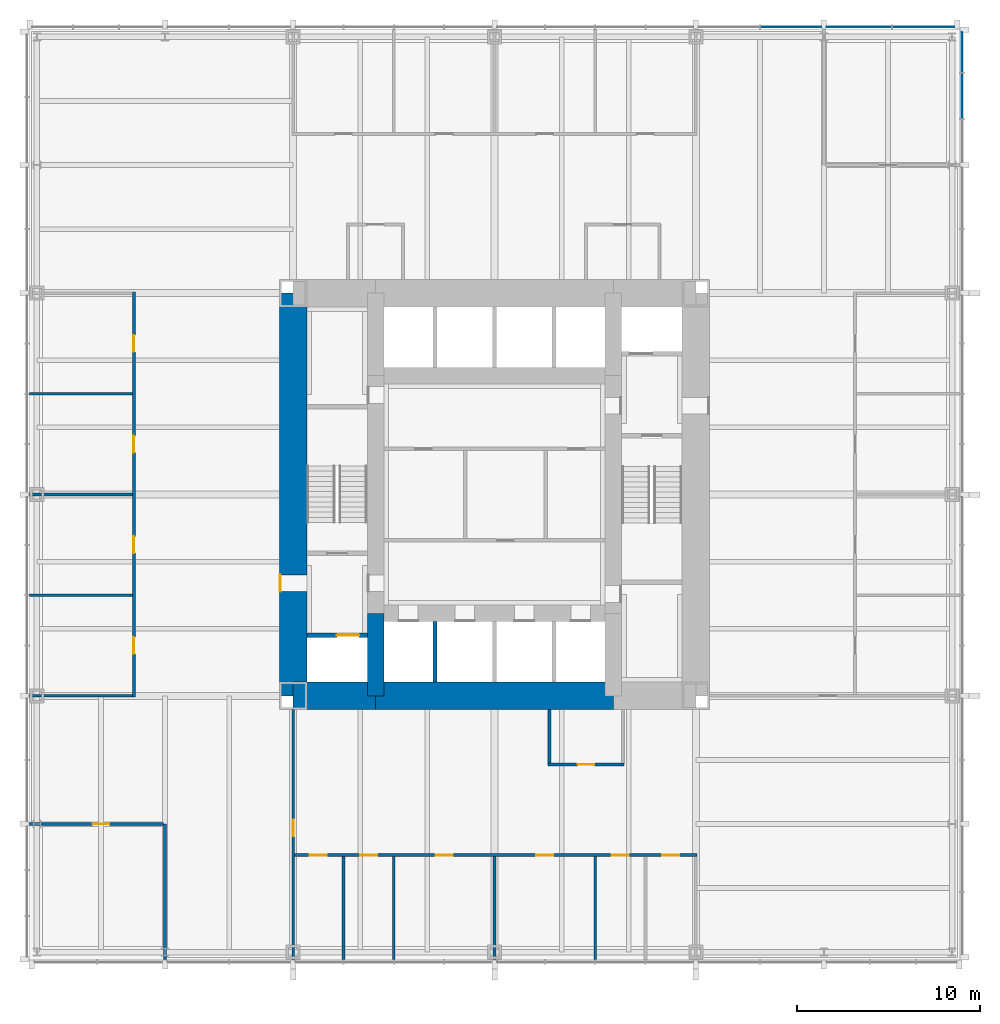
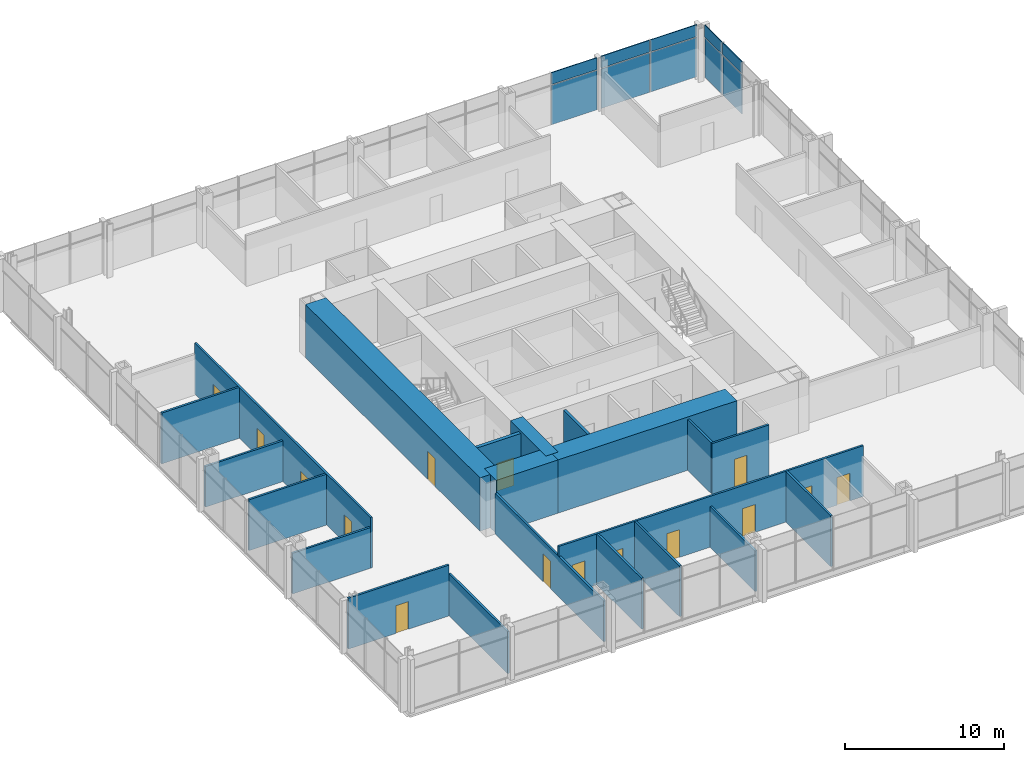
# One storey, part 9 of 12: 21 walls, 15 doors, 10 plates, 15 openings, 2 elements without a shape of their own.
"""IFC4 building model written with IfcOpenShell, lengths in metres."""

from ifc_helpers import new_model, si_unit, direction, frame, frame_2d, origin, origin_2d, place, context, subcontext, project, spatial, rectangle, extrude, material, layer, layer_set, type_object, element, fill, aggregate, save


model = new_model("IFC4")

# Units and contexts
model_context = context("Model", 3, precision=1e-05, world=origin(), true_north=direction((0.0, 1.0)))
body_context = subcontext(model_context, "Body", "Model", "MODEL_VIEW")
ifc_project = project(units=[si_unit("LENGTHUNIT", "METRE"), si_unit("AREAUNIT", "SQUARE_METRE"), si_unit("VOLUMEUNIT", "CUBIC_METRE"), si_unit("PLANEANGLEUNIT", "RADIAN"), si_unit("MASSUNIT", "GRAM", prefix="KILO")], contexts=[model_context])

# Site, building, storey
site_placement = place(None, origin())
site = spatial("IfcSite", under=ifc_project, at=site_placement, CompositionType="ELEMENT")
building_placement = place(site_placement, origin())
building = spatial("IfcBuilding", under=site, at=building_placement, Name="Trevanion Tower", CompositionType="ELEMENT")
storey_placement = place(building_placement, frame((0.0, 0.0, 73.39990234375)))
storey = spatial("IfcBuildingStorey", under=building, at=storey_placement, Name="L17", CompositionType="ELEMENT", Elevation=73.39990234375)

# Curtain wall, plates
ifc_material_1 = material(Name="Aluminium and glass", Category="aluminium")
curtain_wall_type = type_object("IfcCurtainWallType", Name="CW1 curtain wall", PredefinedType="USERDEFINED", material=ifc_material_1)
curtain_wall_1_placement = place(storey_placement, origin())
curtain_wall_1 = element("IfcCurtainWall", 1, at=curtain_wall_1_placement, inside=storey, type_object=curtain_wall_type, Name="CW1 L17 0", ObjectType="UNITISED CURTAIN WALL", PredefinedType="USERDEFINED")
ifc_material_2 = material(Name="Aluminium spandrel panel", Category="aluminium")
ifc_layer_1 = layer(ifc_material_2, 0.06005859375)
ifc_layer_set_1 = layer_set([ifc_layer_1], Name="CW1 spandrel panel")
plate_type_1 = type_object("IfcPlateType", Name="CW1 spandrel panel", PredefinedType="CURTAIN_PANEL", material=ifc_layer_set_1)
plate_1_placement = place(storey_placement, frame((25.550048828125, 21.77490234375, 2.99755859375), z_axis=(0.0, 0.0, 1.0), x_axis=(0.0, 1.0, 0.0)))
plate_1 = element("IfcPlate", 2, at=plate_1_placement, type_object=plate_type_1, Name="CW1 panel 16.2", PredefinedType="CURTAIN_PANEL", context=body_context, shape_type="SweptSolid", body=[
    extrude(rectangle(XDim=2.441650390625, YDim=0.06005859375, at=origin_2d()), origin(), (0.0, 0.0, 1.0), 0.91259765625),
])
plate_2_placement = place(storey_placement, frame((25.550048828125, 24.160400390625, 2.99755859375), z_axis=(0.0, 0.0, 1.0), x_axis=(0.0, 1.0, 0.0)))
plate_2 = element("IfcPlate", 3, at=plate_2_placement, type_object=plate_type_1, Name="CW1 panel 17.2", PredefinedType="CURTAIN_PANEL", context=body_context, shape_type="SweptSolid", body=[
    extrude(rectangle(XDim=2.17919921875, YDim=0.06005859375, at=origin_2d()), origin(), (0.0, 0.0, 1.0), 0.91259765625),
])

curtain_wall_2_placement = place(storey_placement, origin())
curtain_wall_2 = element("IfcCurtainWall", 4, at=curtain_wall_2_placement, inside=storey, type_object=curtain_wall_type, Name="CW1 L17 1", ObjectType="UNITISED CURTAIN WALL", PredefinedType="USERDEFINED")
plate_3_placement = place(storey_placement, frame((23.433837890625, 25.550048828125, 2.99755859375), z_axis=(0.0, 0.0, 1.0), x_axis=(-1.0, 0.0, 0.0)))
plate_3 = element("IfcPlate", 5, at=plate_3_placement, type_object=plate_type_1, Name="CW1 panel 1.2", PredefinedType="CURTAIN_PANEL", context=body_context, shape_type="SweptSolid", body=[
    extrude(rectangle(XDim=3.37255859375, YDim=0.06005859375, at=origin_2d()), origin(), (0.0, 0.0, 1.0), 0.91259765625),
])
plate_4_placement = place(storey_placement, frame((19.911376953125, 25.550048828125, 2.99755859375), z_axis=(0.0, 0.0, 1.0), x_axis=(-1.0, 0.0, 0.0)))
plate_4 = element("IfcPlate", 6, at=plate_4_placement, type_object=plate_type_1, Name="CW1 panel 2.2", PredefinedType="CURTAIN_PANEL", context=body_context, shape_type="SweptSolid", body=[
    extrude(rectangle(XDim=3.5224609375, YDim=0.06005859375, at=origin_2d()), origin(), (0.0, 0.0, 1.0), 0.91259765625),
])
plate_5_placement = place(storey_placement, frame((16.19384765625, 25.550048828125, 2.99755859375), z_axis=(0.0, 0.0, 1.0), x_axis=(-1.0, 0.0, 0.0)))
plate_5 = element("IfcPlate", 7, at=plate_5_placement, type_object=plate_type_1, Name="CW1 panel 3.2", PredefinedType="CURTAIN_PANEL", context=body_context, shape_type="SweptSolid", body=[
    extrude(rectangle(XDim=3.3125, YDim=0.06005859375, at=origin_2d()), origin(), (0.0, 0.0, 1.0), 0.91259765625),
])

# Plate
ifc_material_3 = material(Name="Insulating glass unit", Category="glass")
ifc_layer_2 = layer(ifc_material_3, 0.028076171875)
ifc_layer_set_2 = layer_set([ifc_layer_2], Name="CW1 vision panel")
plate_type_2 = type_object("IfcPlateType", Name="CW1 vision panel", PredefinedType="CURTAIN_PANEL", material=ifc_layer_set_2)
plate_6_placement = place(storey_placement, frame((25.550048828125, 21.77490234375, -0.114990234375), z_axis=(0.0, 0.0, 1.0), x_axis=(0.0, 1.0, 0.0)))
plate_6 = element("IfcPlate", 8, at=plate_6_placement, type_object=plate_type_2, Name="CW1 panel 16.1", PredefinedType="CURTAIN_PANEL", context=body_context, shape_type="SweptSolid", body=[
    extrude(rectangle(XDim=2.441650390625, YDim=0.028076171875, at=origin_2d()), origin(), (0.0, 0.0, 1.0), 3.03759765625),
])

plate_7_placement = place(storey_placement, frame((25.550048828125, 24.160400390625, -0.114990234375), z_axis=(0.0, 0.0, 1.0), x_axis=(0.0, 1.0, 0.0)))
plate_7 = element("IfcPlate", 9, at=plate_7_placement, type_object=plate_type_2, Name="CW1 panel 17.1", PredefinedType="CURTAIN_PANEL", context=body_context, shape_type="SweptSolid", body=[
    extrude(rectangle(XDim=2.17919921875, YDim=0.028076171875, at=origin_2d()), origin(), (0.0, 0.0, 1.0), 3.03759765625),
])

aggregate(curtain_wall_1, [plate_6, plate_1, plate_7, plate_2])

plate_8_placement = place(storey_placement, frame((23.433837890625, 25.550048828125, -0.114990234375), z_axis=(0.0, 0.0, 1.0), x_axis=(-1.0, 0.0, 0.0)))
plate_8 = element("IfcPlate", 10, at=plate_8_placement, type_object=plate_type_2, Name="CW1 panel 1.1", PredefinedType="CURTAIN_PANEL", context=body_context, shape_type="SweptSolid", body=[
    extrude(rectangle(XDim=3.37255859375, YDim=0.028076171875, at=origin_2d()), origin(), (0.0, 0.0, 1.0), 3.03759765625),
])

plate_9_placement = place(storey_placement, frame((19.911376953125, 25.550048828125, -0.114990234375), z_axis=(0.0, 0.0, 1.0), x_axis=(-1.0, 0.0, 0.0)))
plate_9 = element("IfcPlate", 11, at=plate_9_placement, type_object=plate_type_2, Name="CW1 panel 2.1", PredefinedType="CURTAIN_PANEL", context=body_context, shape_type="SweptSolid", body=[
    extrude(rectangle(XDim=3.5224609375, YDim=0.028076171875, at=origin_2d()), origin(), (0.0, 0.0, 1.0), 3.03759765625),
])

plate_10_placement = place(storey_placement, frame((16.19384765625, 25.550048828125, -0.114990234375), z_axis=(0.0, 0.0, 1.0), x_axis=(-1.0, 0.0, 0.0)))
plate_10 = element("IfcPlate", 12, at=plate_10_placement, type_object=plate_type_2, Name="CW1 panel 3.1", PredefinedType="CURTAIN_PANEL", context=body_context, shape_type="SweptSolid", body=[
    extrude(rectangle(XDim=3.3125, YDim=0.028076171875, at=origin_2d()), origin(), (0.0, 0.0, 1.0), 3.03759765625),
])

aggregate(curtain_wall_2, [plate_8, plate_3, plate_9, plate_4, plate_10, plate_5])

# Wall, opening, door
ifc_material_4 = material(Name="Concrete 10,000 psi", Category="concrete")
ifc_layer_3 = layer(ifc_material_4, 1.5)
ifc_layer_set_3 = layer_set([ifc_layer_3], Name="CW1 core wall 1500")
wall_type_1 = type_object("IfcWallType", Name="CW1 core wall 1500", PredefinedType="SHEAR", material=ifc_layer_set_3)
wall_1_placement = place(storey_placement, frame((-11.0, 11.0, 0.0), z_axis=(0.0, 0.0, 1.0), x_axis=(0.0, -1.0, 0.0)))
wall_1 = element("IfcWall", 13, at=wall_1_placement, inside=storey, type_object=wall_type_1, Name="CW1 CW L17", PredefinedType="SHEAR", context=body_context, shape_type="SweptSolid", body=[
    extrude(rectangle(XDim=22.0, YDim=1.5, at=frame_2d((11.0, 0.0))), origin(), (0.0, 0.0, 1.0), 4.10009765625),
])
opening_1_placement = place(wall_1_placement, frame((15.392578125, 0.0, 0.0)))
opening_1 = element("IfcOpeningElement", 14, at=opening_1_placement, cuts=wall_1, Name="Opening 17-002", PredefinedType="OPENING", context=body_context, shape_type="SweptSolid", body=[
    extrude(rectangle(XDim=0.9150390625, YDim=2.134033203125, at=frame_2d((0.45751953125, 1.06689453125))), frame((0.0, 0.760009765625, 0.0), z_axis=(0.0, -1.0, 0.0), x_axis=(1.0, 0.0, 0.0)), (0.0, 0.0, 1.0), 1.52001953125),
])
ifc_material_5 = material(Name="Hollow metal, fire rated", Category="steel")
door_type_1 = type_object("IfcDoorType", Name="D3 fire lift lobby door", OperationType="SINGLE_SWING_RIGHT", PredefinedType="DOOR", material=ifc_material_5)
door_1_placement = place(opening_1_placement, origin())
door_1 = element("IfcDoor", 15, at=door_1_placement, inside=storey, type_object=door_type_1, Name="Door 17-002", OperationType="SINGLE_SWING_RIGHT", OverallHeight=2.134033203125, OverallWidth=0.9150390625, PredefinedType="DOOR", context=body_context, shape_type="SweptSolid", body=[
    extrude(rectangle(XDim=0.9150390625, YDim=2.134033203125, at=frame_2d((0.45751953125, 1.06689453125))), frame((0.0, -0.6748046875, 0.0), z_axis=(0.0, -1.0, 0.0), x_axis=(1.0, 0.0, 0.0)), (0.0, 0.0, 1.0), 0.050048828125),
])
fill(opening_1, door_1)

# Walls
wall_2_placement = place(storey_placement, frame((-11.0, -11.0, 0.0), z_axis=(0.0, 0.0, 1.0), x_axis=(1.0, 0.0, 0.0)))
element("IfcWall", 16, at=wall_2_placement, inside=storey, type_object=wall_type_1, Name="CW1 CS1 L17", PredefinedType="SHEAR", context=body_context, shape_type="SweptSolid", body=[
    extrude(rectangle(XDim=4.5, YDim=1.5, at=frame_2d((2.25, 0.0))), origin(), (0.0, 0.0, 1.0), 4.10009765625),
])
wall_3_placement = place(storey_placement, frame((-6.5, -11.0, 0.0), z_axis=(0.0, 0.0, 1.0), x_axis=(1.0, 0.0, 0.0)))
element("IfcWall", 17, at=wall_3_placement, inside=storey, type_object=wall_type_1, Name="CW1 CS2 L17", PredefinedType="SHEAR", context=body_context, shape_type="SweptSolid", body=[
    extrude(rectangle(XDim=13.0, YDim=1.5, at=frame_2d((6.5, 0.0))), origin(), (0.0, 0.0, 1.0), 4.10009765625),
])
ifc_material_6 = material(Name="Concrete 10,000 psi", Category="concrete")
ifc_layer_4 = layer(ifc_material_6, 0.89990234375)
ifc_layer_set_4 = layer_set([ifc_layer_4], Name="CW2 core wall 900")
wall_type_2 = type_object("IfcWallType", Name="CW2 core wall 900", PredefinedType="SHEAR", material=ifc_layer_set_4)
wall_4_placement = place(storey_placement, frame((-6.5, -6.5, 0.0), z_axis=(0.0, 0.0, 1.0), x_axis=(0.0, -1.0, 0.0)))
element("IfcWall", 18, at=wall_4_placement, inside=storey, type_object=wall_type_2, Name="CW2 RW3 L17", PredefinedType="SHEAR", context=body_context, shape_type="SweptSolid", body=[
    extrude(rectangle(XDim=4.5, YDim=0.89990234375, at=frame_2d((2.25, 0.0))), origin(), (0.0, 0.0, 1.0), 4.10009765625),
])

# Wall, opening, door
ifc_material_7 = material(Name="Gypsum board on steel studs", Category="steel")
ifc_layer_5 = layer(ifc_material_7, 0.14990234375)
ifc_layer_set_5 = layer_set([ifc_layer_5], Name="PT1 partition 150")
wall_type_3 = type_object("IfcWallType", Name="PT1 partition 150", PredefinedType="PARTITIONING", material=ifc_layer_set_5)
wall_5_placement = place(storey_placement, frame((-11.0, -11.75, 0.0), z_axis=(0.0, 0.0, 1.0), x_axis=(0.0, -1.0, 0.0)))
wall_5 = element("IfcWall", 19, at=wall_5_placement, inside=storey, type_object=wall_type_3, Name="PT1 L17 ZW2", PredefinedType="PARTITIONING", context=body_context, shape_type="SweptSolid", body=[
    extrude(rectangle(XDim=13.6650390625, YDim=0.14990234375, at=frame_2d((6.83251953125, 0.0))), origin(), (0.0, 0.0, 1.0), 3.13037109375),
])
opening_2_placement = place(wall_5_placement, frame((6.017578125, 0.0, 0.0)))
opening_2 = element("IfcOpeningElement", 20, at=opening_2_placement, cuts=wall_5, Name="Opening 17-018", PredefinedType="OPENING", context=body_context, shape_type="SweptSolid", body=[
    extrude(rectangle(XDim=0.9150390625, YDim=2.134033203125, at=frame_2d((0.45751953125, 1.06689453125))), frame((0.0, 0.0849609375, 0.0), z_axis=(0.0, -1.0, 0.0), x_axis=(1.0, 0.0, 0.0)), (0.0, 0.0, 1.0), 0.169921875),
])
ifc_material_8 = material(Name="Timber veneer, solid core", Category="wood")
door_type_2 = type_object("IfcDoorType", Name="D1 office and meeting room door", OperationType="SINGLE_SWING_LEFT", PredefinedType="DOOR", material=ifc_material_8)
door_2_placement = place(opening_2_placement, origin())
door_2 = element("IfcDoor", 21, at=door_2_placement, inside=storey, type_object=door_type_2, Name="Door 17-018", OperationType="SINGLE_SWING_LEFT", OverallHeight=2.134033203125, OverallWidth=0.9150390625, PredefinedType="DOOR", context=body_context, shape_type="SweptSolid", body=[
    extrude(rectangle(XDim=0.9150390625, YDim=2.134033203125, at=frame_2d((0.45751953125, 1.06689453125))), frame((0.0, 0.02490234375, 0.0), z_axis=(0.0, -1.0, 0.0), x_axis=(1.0, 0.0, 0.0)), (0.0, 0.0, 1.0), 0.050048828125),
])
fill(opening_2, door_2)

# Wall
wall_6_placement = place(storey_placement, frame((-18.0, -18.0, 0.0), z_axis=(0.0, 0.0, 1.0), x_axis=(0.0, -1.0, 0.0)))
element("IfcWall", 22, at=wall_6_placement, inside=storey, type_object=wall_type_3, Name="PT1 L17 KW2a", PredefinedType="PARTITIONING", context=body_context, shape_type="SweptSolid", body=[
    extrude(rectangle(XDim=7.4150390625, YDim=0.14990234375, at=frame_2d((3.70751953125, 0.0))), origin(), (0.0, 0.0, 1.0), 3.216796875),
])

# Wall, opening, door
wall_7_placement = place(storey_placement, frame((-18.074951171875, -18.0, 0.0), z_axis=(0.0, 0.0, 1.0), x_axis=(-1.0, 0.0, 0.0)))
wall_7 = element("IfcWall", 23, at=wall_7_placement, inside=storey, type_object=wall_type_3, Name="PT1 L17 KW2b", PredefinedType="PARTITIONING", context=body_context, shape_type="SweptSolid", body=[
    extrude(rectangle(XDim=7.340087890625, YDim=0.14990234375, at=frame_2d((3.669921875, 0.0))), origin(), (0.0, 0.0, 1.0), 3.91015625),
])
opening_3_placement = place(wall_7_placement, frame((2.967529296875, 0.0, 0.0)))
opening_3 = element("IfcOpeningElement", 24, at=opening_3_placement, cuts=wall_7, Name="Opening 17-021", PredefinedType="OPENING", context=body_context, shape_type="SweptSolid", body=[
    extrude(rectangle(XDim=0.9150390625, YDim=2.134033203125, at=frame_2d((0.45751953125, 1.06689453125))), frame((0.0, 0.0849609375, 0.0), z_axis=(0.0, -1.0, 0.0), x_axis=(1.0, 0.0, 0.0)), (0.0, 0.0, 1.0), 0.169921875),
])
door_3_placement = place(opening_3_placement, origin())
door_3 = element("IfcDoor", 25, at=door_3_placement, inside=storey, type_object=door_type_2, Name="Door 17-021", OperationType="SINGLE_SWING_LEFT", OverallHeight=2.134033203125, OverallWidth=0.9150390625, PredefinedType="DOOR", context=body_context, shape_type="SweptSolid", body=[
    extrude(rectangle(XDim=0.9150390625, YDim=2.134033203125, at=frame_2d((0.45751953125, 1.06689453125))), frame((0.0, 0.02490234375, 0.0), z_axis=(0.0, -1.0, 0.0), x_axis=(1.0, 0.0, 0.0)), (0.0, 0.0, 1.0), 0.050048828125),
])
fill(opening_3, door_3)

# Wall, openings, doors
wall_8_placement = place(storey_placement, frame((-11.074951171875, -19.699951171875, 0.0), z_axis=(0.0, 0.0, 1.0), x_axis=(1.0, 0.0, 0.0)))
wall_8 = element("IfcWall", 26, at=wall_8_placement, inside=storey, type_object=wall_type_3, Name="PT1 L17 FC3F", PredefinedType="PARTITIONING", context=body_context, shape_type="SweptSolid", body=[
    extrude(rectangle(XDim=22.14990234375, YDim=0.14990234375, at=frame_2d((11.074951171875, 0.0))), origin(), (0.0, 0.0, 1.0), 3.91015625),
])
opening_4_placement = place(wall_8_placement, frame((0.992431640625, 0.0, 0.0)))
opening_4 = element("IfcOpeningElement", 27, at=opening_4_placement, cuts=wall_8, Name="Opening 17-026", PredefinedType="OPENING", context=body_context, shape_type="SweptSolid", body=[
    extrude(rectangle(XDim=0.9150390625, YDim=2.134033203125, at=frame_2d((0.45751953125, 1.06689453125))), frame((0.0, 0.0849609375, 0.0), z_axis=(0.0, -1.0, 0.0), x_axis=(1.0, 0.0, 0.0)), (0.0, 0.0, 1.0), 0.169921875),
])
opening_5_placement = place(wall_8_placement, frame((3.742431640625, 0.0, 0.0)))
opening_5 = element("IfcOpeningElement", 28, at=opening_5_placement, cuts=wall_8, Name="Opening 17-027", PredefinedType="OPENING", context=body_context, shape_type="SweptSolid", body=[
    extrude(rectangle(XDim=0.9150390625, YDim=2.134033203125, at=frame_2d((0.45751953125, 1.06689453125))), frame((0.0, 0.0849609375, 0.0), z_axis=(0.0, -1.0, 0.0), x_axis=(1.0, 0.0, 0.0)), (0.0, 0.0, 1.0), 0.169921875),
])
opening_6_placement = place(wall_8_placement, frame((7.867431640625, 0.0, 0.0)))
opening_6 = element("IfcOpeningElement", 29, at=opening_6_placement, cuts=wall_8, Name="Opening 17-028", PredefinedType="OPENING", context=body_context, shape_type="SweptSolid", body=[
    extrude(rectangle(XDim=0.9150390625, YDim=2.134033203125, at=frame_2d((0.45751953125, 1.06689453125))), frame((0.0, 0.0849609375, 0.0), z_axis=(0.0, -1.0, 0.0), x_axis=(1.0, 0.0, 0.0)), (0.0, 0.0, 1.0), 0.169921875),
])
opening_7_placement = place(wall_8_placement, frame((13.367431640625, 0.0, 0.0)))
opening_7 = element("IfcOpeningElement", 30, at=opening_7_placement, cuts=wall_8, Name="Opening 17-029", PredefinedType="OPENING", context=body_context, shape_type="SweptSolid", body=[
    extrude(rectangle(XDim=0.9150390625, YDim=2.134033203125, at=frame_2d((0.45751953125, 1.06689453125))), frame((0.0, 0.0849609375, 0.0), z_axis=(0.0, -1.0, 0.0), x_axis=(1.0, 0.0, 0.0)), (0.0, 0.0, 1.0), 0.169921875),
])
opening_8_placement = place(wall_8_placement, frame((17.492431640625, 0.0, 0.0)))
opening_8 = element("IfcOpeningElement", 31, at=opening_8_placement, cuts=wall_8, Name="Opening 17-030", PredefinedType="OPENING", context=body_context, shape_type="SweptSolid", body=[
    extrude(rectangle(XDim=0.9150390625, YDim=2.134033203125, at=frame_2d((0.45751953125, 1.06689453125))), frame((0.0, 0.0849609375, 0.0), z_axis=(0.0, -1.0, 0.0), x_axis=(1.0, 0.0, 0.0)), (0.0, 0.0, 1.0), 0.169921875),
])
opening_9_placement = place(wall_8_placement, frame((20.242431640625, 0.0, 0.0)))
opening_9 = element("IfcOpeningElement", 32, at=opening_9_placement, cuts=wall_8, Name="Opening 17-031", PredefinedType="OPENING", context=body_context, shape_type="SweptSolid", body=[
    extrude(rectangle(XDim=0.9150390625, YDim=2.134033203125, at=frame_2d((0.45751953125, 1.06689453125))), frame((0.0, 0.0849609375, 0.0), z_axis=(0.0, -1.0, 0.0), x_axis=(1.0, 0.0, 0.0)), (0.0, 0.0, 1.0), 0.169921875),
])
door_4_placement = place(opening_4_placement, origin())
door_4 = element("IfcDoor", 33, at=door_4_placement, inside=storey, type_object=door_type_2, Name="Door 17-026", OperationType="SINGLE_SWING_LEFT", OverallHeight=2.134033203125, OverallWidth=0.9150390625, PredefinedType="DOOR", context=body_context, shape_type="SweptSolid", body=[
    extrude(rectangle(XDim=0.9150390625, YDim=2.134033203125, at=frame_2d((0.45751953125, 1.06689453125))), frame((0.0, 0.02490234375, 0.0), z_axis=(0.0, -1.0, 0.0), x_axis=(1.0, 0.0, 0.0)), (0.0, 0.0, 1.0), 0.050048828125),
])
fill(opening_4, door_4)
door_5_placement = place(opening_5_placement, origin())
door_5 = element("IfcDoor", 34, at=door_5_placement, inside=storey, type_object=door_type_2, Name="Door 17-027", OperationType="SINGLE_SWING_LEFT", OverallHeight=2.134033203125, OverallWidth=0.9150390625, PredefinedType="DOOR", context=body_context, shape_type="SweptSolid", body=[
    extrude(rectangle(XDim=0.9150390625, YDim=2.134033203125, at=frame_2d((0.45751953125, 1.06689453125))), frame((0.0, 0.02490234375, 0.0), z_axis=(0.0, -1.0, 0.0), x_axis=(1.0, 0.0, 0.0)), (0.0, 0.0, 1.0), 0.050048828125),
])
fill(opening_5, door_5)
door_6_placement = place(opening_6_placement, origin())
door_6 = element("IfcDoor", 35, at=door_6_placement, inside=storey, type_object=door_type_2, Name="Door 17-028", OperationType="SINGLE_SWING_LEFT", OverallHeight=2.134033203125, OverallWidth=0.9150390625, PredefinedType="DOOR", context=body_context, shape_type="SweptSolid", body=[
    extrude(rectangle(XDim=0.9150390625, YDim=2.134033203125, at=frame_2d((0.45751953125, 1.06689453125))), frame((0.0, 0.02490234375, 0.0), z_axis=(0.0, -1.0, 0.0), x_axis=(1.0, 0.0, 0.0)), (0.0, 0.0, 1.0), 0.050048828125),
])
fill(opening_6, door_6)
door_7_placement = place(opening_7_placement, origin())
door_7 = element("IfcDoor", 36, at=door_7_placement, inside=storey, type_object=door_type_2, Name="Door 17-029", OperationType="SINGLE_SWING_LEFT", OverallHeight=2.134033203125, OverallWidth=0.9150390625, PredefinedType="DOOR", context=body_context, shape_type="SweptSolid", body=[
    extrude(rectangle(XDim=0.9150390625, YDim=2.134033203125, at=frame_2d((0.45751953125, 1.06689453125))), frame((0.0, 0.02490234375, 0.0), z_axis=(0.0, -1.0, 0.0), x_axis=(1.0, 0.0, 0.0)), (0.0, 0.0, 1.0), 0.050048828125),
])
fill(opening_7, door_7)
door_8_placement = place(opening_8_placement, origin())
door_8 = element("IfcDoor", 37, at=door_8_placement, inside=storey, type_object=door_type_2, Name="Door 17-030", OperationType="SINGLE_SWING_LEFT", OverallHeight=2.134033203125, OverallWidth=0.9150390625, PredefinedType="DOOR", context=body_context, shape_type="SweptSolid", body=[
    extrude(rectangle(XDim=0.9150390625, YDim=2.134033203125, at=frame_2d((0.45751953125, 1.06689453125))), frame((0.0, 0.02490234375, 0.0), z_axis=(0.0, -1.0, 0.0), x_axis=(1.0, 0.0, 0.0)), (0.0, 0.0, 1.0), 0.050048828125),
])
fill(opening_8, door_8)
door_9_placement = place(opening_9_placement, origin())
door_9 = element("IfcDoor", 38, at=door_9_placement, inside=storey, type_object=door_type_2, Name="Door 17-031", OperationType="SINGLE_SWING_LEFT", OverallHeight=2.134033203125, OverallWidth=0.9150390625, PredefinedType="DOOR", context=body_context, shape_type="SweptSolid", body=[
    extrude(rectangle(XDim=0.9150390625, YDim=2.134033203125, at=frame_2d((0.45751953125, 1.06689453125))), frame((0.0, 0.02490234375, 0.0), z_axis=(0.0, -1.0, 0.0), x_axis=(1.0, 0.0, 0.0)), (0.0, 0.0, 1.0), 0.050048828125),
])
fill(opening_9, door_9)

# Walls
for number, where, z_axis, x_axis, name in (
    (39, (-8.25, -19.77490234375, 0.0), (0.0, 0.0, 1.0), (0.0, -1.0, 0.0), "PT1 L17 FC3S1"),
    (40, (-5.5, -19.77490234375, 0.0), (0.0, 0.0, 1.0), (0.0, -1.0, 0.0), "PT1 L17 FC3S2"),
):
    element("IfcWall", number, at=place(storey_placement, frame(where, z_axis=z_axis, x_axis=x_axis)), inside=storey, type_object=wall_type_3, Name=name, PredefinedType="PARTITIONING", context=body_context, shape_type="SweptSolid", body=[
        extrude(rectangle(XDim=5.64013671875, YDim=0.14990234375, at=frame_2d((2.820068359375, 0.0))), origin(), (0.0, 0.0, 1.0), 3.91015625),
    ])
wall_9_placement = place(storey_placement, frame((0.0, -19.77490234375, 0.0), z_axis=(0.0, 0.0, 1.0), x_axis=(0.0, -1.0, 0.0)))
element("IfcWall", 41, at=wall_9_placement, inside=storey, type_object=wall_type_3, Name="PT1 L17 FC3S4", PredefinedType="PARTITIONING", context=body_context, shape_type="SweptSolid", body=[
    extrude(rectangle(XDim=5.64013671875, YDim=0.14990234375, at=frame_2d((2.820068359375, 0.0))), origin(), (0.0, 0.0, 1.0), 3.13037109375),
])
wall_10_placement = place(storey_placement, frame((5.5, -19.77490234375, 0.0), z_axis=(0.0, 0.0, 1.0), x_axis=(0.0, -1.0, 0.0)))
element("IfcWall", 42, at=wall_10_placement, inside=storey, type_object=wall_type_3, Name="PT1 L17 FC3S6", PredefinedType="PARTITIONING", context=body_context, shape_type="SweptSolid", body=[
    extrude(rectangle(XDim=5.64013671875, YDim=0.14990234375, at=frame_2d((2.820068359375, 0.0))), origin(), (0.0, 0.0, 1.0), 3.91015625),
])

# Wall, openings, doors
wall_11_placement = place(storey_placement, frame((-19.699951171875, 11.074951171875, 0.0), z_axis=(0.0, 0.0, 1.0), x_axis=(0.0, -1.0, 0.0)))
wall_11 = element("IfcWall", 43, at=wall_11_placement, inside=storey, type_object=wall_type_3, Name="PT1 L17 FC2F", PredefinedType="PARTITIONING", context=body_context, shape_type="SweptSolid", body=[
    extrude(rectangle(XDim=22.14990234375, YDim=0.14990234375, at=frame_2d((11.074951171875, 0.0))), origin(), (0.0, 0.0, 1.0), 3.91015625),
])
opening_10_placement = place(wall_11_placement, frame((2.367431640625, 0.0, 0.0)))
opening_10 = element("IfcOpeningElement", 44, at=opening_10_placement, cuts=wall_11, Name="Opening 17-036", PredefinedType="OPENING", context=body_context, shape_type="SweptSolid", body=[
    extrude(rectangle(XDim=0.9150390625, YDim=2.134033203125, at=frame_2d((0.45751953125, 1.06689453125))), frame((0.0, 0.0849609375, 0.0), z_axis=(0.0, -1.0, 0.0), x_axis=(1.0, 0.0, 0.0)), (0.0, 0.0, 1.0), 0.169921875),
])
opening_11_placement = place(wall_11_placement, frame((7.867431640625, 0.0, 0.0)))
opening_11 = element("IfcOpeningElement", 45, at=opening_11_placement, cuts=wall_11, Name="Opening 17-037", PredefinedType="OPENING", context=body_context, shape_type="SweptSolid", body=[
    extrude(rectangle(XDim=0.9150390625, YDim=2.134033203125, at=frame_2d((0.45751953125, 1.06689453125))), frame((0.0, 0.0849609375, 0.0), z_axis=(0.0, -1.0, 0.0), x_axis=(1.0, 0.0, 0.0)), (0.0, 0.0, 1.0), 0.169921875),
])
opening_12_placement = place(wall_11_placement, frame((13.367431640625, 0.0, 0.0)))
opening_12 = element("IfcOpeningElement", 46, at=opening_12_placement, cuts=wall_11, Name="Opening 17-038", PredefinedType="OPENING", context=body_context, shape_type="SweptSolid", body=[
    extrude(rectangle(XDim=0.9150390625, YDim=2.134033203125, at=frame_2d((0.45751953125, 1.06689453125))), frame((0.0, 0.0849609375, 0.0), z_axis=(0.0, -1.0, 0.0), x_axis=(1.0, 0.0, 0.0)), (0.0, 0.0, 1.0), 0.169921875),
])
opening_13_placement = place(wall_11_placement, frame((18.867431640625, 0.0, 0.0)))
opening_13 = element("IfcOpeningElement", 47, at=opening_13_placement, cuts=wall_11, Name="Opening 17-039", PredefinedType="OPENING", context=body_context, shape_type="SweptSolid", body=[
    extrude(rectangle(XDim=0.9150390625, YDim=2.134033203125, at=frame_2d((0.45751953125, 1.06689453125))), frame((0.0, 0.0849609375, 0.0), z_axis=(0.0, -1.0, 0.0), x_axis=(1.0, 0.0, 0.0)), (0.0, 0.0, 1.0), 0.169921875),
])
door_10_placement = place(opening_10_placement, origin())
door_10 = element("IfcDoor", 48, at=door_10_placement, inside=storey, type_object=door_type_2, Name="Door 17-036", OperationType="SINGLE_SWING_LEFT", OverallHeight=2.134033203125, OverallWidth=0.9150390625, PredefinedType="DOOR", context=body_context, shape_type="SweptSolid", body=[
    extrude(rectangle(XDim=0.9150390625, YDim=2.134033203125, at=frame_2d((0.45751953125, 1.06689453125))), frame((0.0, 0.02490234375, 0.0), z_axis=(0.0, -1.0, 0.0), x_axis=(1.0, 0.0, 0.0)), (0.0, 0.0, 1.0), 0.050048828125),
])
fill(opening_10, door_10)
door_11_placement = place(opening_11_placement, origin())
door_11 = element("IfcDoor", 49, at=door_11_placement, inside=storey, type_object=door_type_2, Name="Door 17-037", OperationType="SINGLE_SWING_LEFT", OverallHeight=2.134033203125, OverallWidth=0.9150390625, PredefinedType="DOOR", context=body_context, shape_type="SweptSolid", body=[
    extrude(rectangle(XDim=0.9150390625, YDim=2.134033203125, at=frame_2d((0.45751953125, 1.06689453125))), frame((0.0, 0.02490234375, 0.0), z_axis=(0.0, -1.0, 0.0), x_axis=(1.0, 0.0, 0.0)), (0.0, 0.0, 1.0), 0.050048828125),
])
fill(opening_11, door_11)
door_12_placement = place(opening_12_placement, origin())
door_12 = element("IfcDoor", 50, at=door_12_placement, inside=storey, type_object=door_type_2, Name="Door 17-038", OperationType="SINGLE_SWING_LEFT", OverallHeight=2.134033203125, OverallWidth=0.9150390625, PredefinedType="DOOR", context=body_context, shape_type="SweptSolid", body=[
    extrude(rectangle(XDim=0.9150390625, YDim=2.134033203125, at=frame_2d((0.45751953125, 1.06689453125))), frame((0.0, 0.02490234375, 0.0), z_axis=(0.0, -1.0, 0.0), x_axis=(1.0, 0.0, 0.0)), (0.0, 0.0, 1.0), 0.050048828125),
])
fill(opening_12, door_12)
door_13_placement = place(opening_13_placement, origin())
door_13 = element("IfcDoor", 51, at=door_13_placement, inside=storey, type_object=door_type_2, Name="Door 17-039", OperationType="SINGLE_SWING_LEFT", OverallHeight=2.134033203125, OverallWidth=0.9150390625, PredefinedType="DOOR", context=body_context, shape_type="SweptSolid", body=[
    extrude(rectangle(XDim=0.9150390625, YDim=2.134033203125, at=frame_2d((0.45751953125, 1.06689453125))), frame((0.0, 0.02490234375, 0.0), z_axis=(0.0, -1.0, 0.0), x_axis=(1.0, 0.0, 0.0)), (0.0, 0.0, 1.0), 0.050048828125),
])
fill(opening_13, door_13)

# Walls
wall_12_placement = place(storey_placement, frame((-19.77490234375, 5.5, 0.0), z_axis=(0.0, 0.0, 1.0), x_axis=(-1.0, 0.0, 0.0)))
element("IfcWall", 52, at=wall_12_placement, inside=storey, type_object=wall_type_3, Name="PT1 L17 FC2S2", PredefinedType="PARTITIONING", context=body_context, shape_type="SweptSolid", body=[
    extrude(rectangle(XDim=5.64013671875, YDim=0.14990234375, at=frame_2d((2.820068359375, 0.0))), origin(), (0.0, 0.0, 1.0), 3.91015625),
])
wall_13_placement = place(storey_placement, frame((-19.77490234375, 0.0, 0.0), z_axis=(0.0, 0.0, 1.0), x_axis=(-1.0, 0.0, 0.0)))
element("IfcWall", 53, at=wall_13_placement, inside=storey, type_object=wall_type_3, Name="PT1 L17 FC2S4", PredefinedType="PARTITIONING", context=body_context, shape_type="SweptSolid", body=[
    extrude(rectangle(XDim=5.64013671875, YDim=0.14990234375, at=frame_2d((2.820068359375, 0.0))), origin(), (0.0, 0.0, 1.0), 3.13037109375),
])
wall_14_placement = place(storey_placement, frame((-19.77490234375, -5.5, 0.0), z_axis=(0.0, 0.0, 1.0), x_axis=(-1.0, 0.0, 0.0)))
element("IfcWall", 54, at=wall_14_placement, inside=storey, type_object=wall_type_3, Name="PT1 L17 FC2S6", PredefinedType="PARTITIONING", context=body_context, shape_type="SweptSolid", body=[
    extrude(rectangle(XDim=5.64013671875, YDim=0.14990234375, at=frame_2d((2.820068359375, 0.0))), origin(), (0.0, 0.0, 1.0), 3.91015625),
])
wall_15_placement = place(storey_placement, frame((-19.77490234375, -11.0, 0.0), z_axis=(0.0, 0.0, 1.0), x_axis=(-1.0, 0.0, 0.0)))
element("IfcWall", 55, at=wall_15_placement, inside=storey, type_object=wall_type_3, Name="PT1 L17 FC2S8", PredefinedType="PARTITIONING", context=body_context, shape_type="SweptSolid", body=[
    extrude(rectangle(XDim=5.64013671875, YDim=0.14990234375, at=frame_2d((2.820068359375, 0.0))), origin(), (0.0, 0.0, 1.0), 3.13037109375),
])

# Wall, opening, door
wall_16_placement = place(storey_placement, frame((2.925048828125, -14.75, 0.0), z_axis=(0.0, 0.0, 1.0), x_axis=(1.0, 0.0, 0.0)))
wall_16 = element("IfcWall", 56, at=wall_16_placement, inside=storey, type_object=wall_type_3, Name="PT1 L17 IN30F", PredefinedType="PARTITIONING", context=body_context, shape_type="SweptSolid", body=[
    extrude(rectangle(XDim=4.14990234375, YDim=0.14990234375, at=frame_2d((2.074951171875, 0.0))), origin(), (0.0, 0.0, 1.0), 3.91015625),
])
opening_14_placement = place(wall_16_placement, frame((1.617431640625, 0.0, 0.0)))
opening_14 = element("IfcOpeningElement", 57, at=opening_14_placement, cuts=wall_16, Name="Opening 17-042", PredefinedType="OPENING", context=body_context, shape_type="SweptSolid", body=[
    extrude(rectangle(XDim=0.9150390625, YDim=2.134033203125, at=frame_2d((0.45751953125, 1.06689453125))), frame((0.0, 0.0849609375, 0.0), z_axis=(0.0, -1.0, 0.0), x_axis=(1.0, 0.0, 0.0)), (0.0, 0.0, 1.0), 0.169921875),
])
door_14_placement = place(opening_14_placement, origin())
door_14 = element("IfcDoor", 58, at=door_14_placement, inside=storey, type_object=door_type_2, Name="Door 17-042", OperationType="SINGLE_SWING_LEFT", OverallHeight=2.134033203125, OverallWidth=0.9150390625, PredefinedType="DOOR", context=body_context, shape_type="SweptSolid", body=[
    extrude(rectangle(XDim=0.9150390625, YDim=2.134033203125, at=frame_2d((0.45751953125, 1.06689453125))), frame((0.0, 0.02490234375, 0.0), z_axis=(0.0, -1.0, 0.0), x_axis=(1.0, 0.0, 0.0)), (0.0, 0.0, 1.0), 0.050048828125),
])
fill(opening_14, door_14)

# Walls
wall_17_placement = place(storey_placement, frame((3.0, -14.675048828125, 0.0), z_axis=(0.0, 0.0, 1.0), x_axis=(0.0, 1.0, 0.0)))
element("IfcWall", 59, at=wall_17_placement, inside=storey, type_object=wall_type_3, Name="PT1 L17 IN30S0", PredefinedType="PARTITIONING", context=body_context, shape_type="SweptSolid", body=[
    extrude(rectangle(XDim=2.925048828125, YDim=0.14990234375, at=frame_2d((1.46240234375, 0.0))), origin(), (0.0, 0.0, 1.0), 3.91015625),
])
ifc_material_9 = material(Name="Concrete masonry, grouted", Category="masonry")
ifc_layer_6 = layer(ifc_material_9, 0.199951171875)
ifc_layer_set_6 = layer_set([ifc_layer_6], Name="PT2 partition 200 2 HR")
wall_type_4 = type_object("IfcWallType", Name="PT2 partition 200 2 HR", PredefinedType="PARTITIONING", material=ifc_layer_set_6)
wall_18_placement = place(storey_placement, frame((-3.25, -10.25, 0.0), z_axis=(0.0, 0.0, 1.0), x_axis=(0.0, 1.0, 0.0)))
element("IfcWall", 60, at=wall_18_placement, inside=storey, type_object=wall_type_4, Name="PT2 L17 SS0", PredefinedType="PARTITIONING", context=body_context, shape_type="SweptSolid", body=[
    extrude(rectangle(XDim=3.300048828125, YDim=0.199951171875, at=frame_2d((1.64990234375, 0.0))), origin(), (0.0, 0.0, 1.0), 3.91015625),
])

# Wall, opening, door
ifc_material_10 = material(Name="Concrete masonry, grouted, two-hour", Category="masonry")
ifc_layer_7 = layer(ifc_material_10, 0.25)
ifc_layer_set_7 = layer_set([ifc_layer_7], Name="PT3 partition 250 2 HR")
wall_type_5 = type_object("IfcWallType", Name="PT3 partition 250 2 HR", PredefinedType="PARTITIONING", material=ifc_layer_set_7)
wall_19_placement = place(storey_placement, frame((-6.949951171875, -7.699951171875, 0.0), z_axis=(0.0, 0.0, 1.0), x_axis=(-1.0, 0.0, 0.0)))
wall_19 = element("IfcWall", 61, at=wall_19_placement, inside=storey, type_object=wall_type_5, Name="PT3 L17 WP3", PredefinedType="PARTITIONING", context=body_context, shape_type="SweptSolid", body=[
    extrude(rectangle(XDim=3.300048828125, YDim=0.25, at=frame_2d((1.64990234375, 0.0))), origin(), (0.0, 0.0, 1.0), 3.91015625),
])
opening_15_placement = place(wall_19_placement, frame((0.449951171875, 0.0, 0.0)))
opening_15 = element("IfcOpeningElement", 62, at=opening_15_placement, cuts=wall_19, Name="Opening 17-008", PredefinedType="OPENING", context=body_context, shape_type="SweptSolid", body=[
    extrude(rectangle(XDim=1.218994140625, YDim=2.134033203125, at=frame_2d((0.609375, 1.06689453125))), frame((0.0, 0.135009765625, 0.0), z_axis=(0.0, -1.0, 0.0), x_axis=(1.0, 0.0, 0.0)), (0.0, 0.0, 1.0), 0.27001953125),
])
ifc_material_11 = material(Name="Stainless steel, fire rated", Category="steel")
door_type_3 = type_object("IfcDoorType", Name="LD2 fire service lift landing door", OperationType="SLIDING_TO_LEFT", PredefinedType="DOOR", material=ifc_material_11)
door_15_placement = place(opening_15_placement, origin())
door_15 = element("IfcDoor", 63, at=door_15_placement, inside=storey, type_object=door_type_3, Name="Door 17-008", OperationType="SLIDING_TO_LEFT", OverallHeight=2.134033203125, OverallWidth=1.218994140625, PredefinedType="DOOR", context=body_context, shape_type="SweptSolid", body=[
    extrude(rectangle(XDim=1.218994140625, YDim=2.134033203125, at=frame_2d((0.609375, 1.06689453125))), frame((0.0, 0.02490234375, 0.0), z_axis=(0.0, -1.0, 0.0), x_axis=(1.0, 0.0, 0.0)), (0.0, 0.0, 1.0), 0.050048828125),
])
fill(opening_15, door_15)

save(model, "model.ifc")
